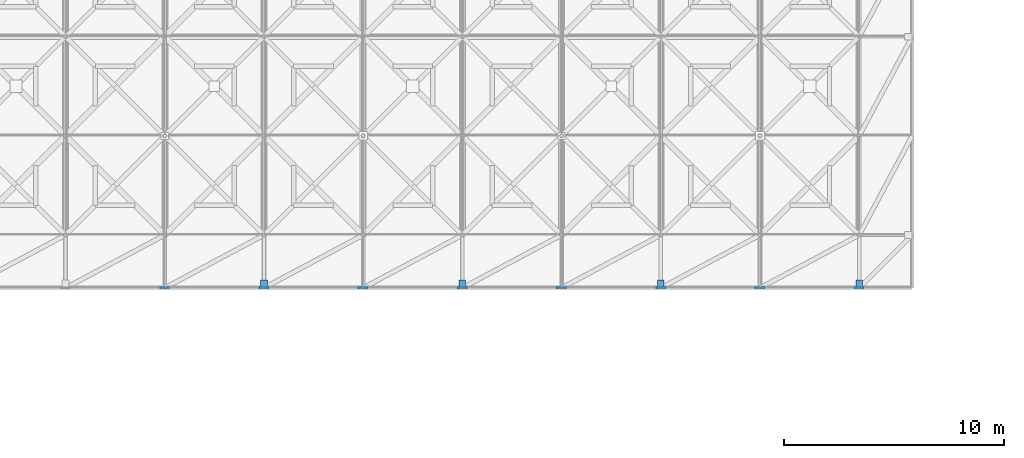
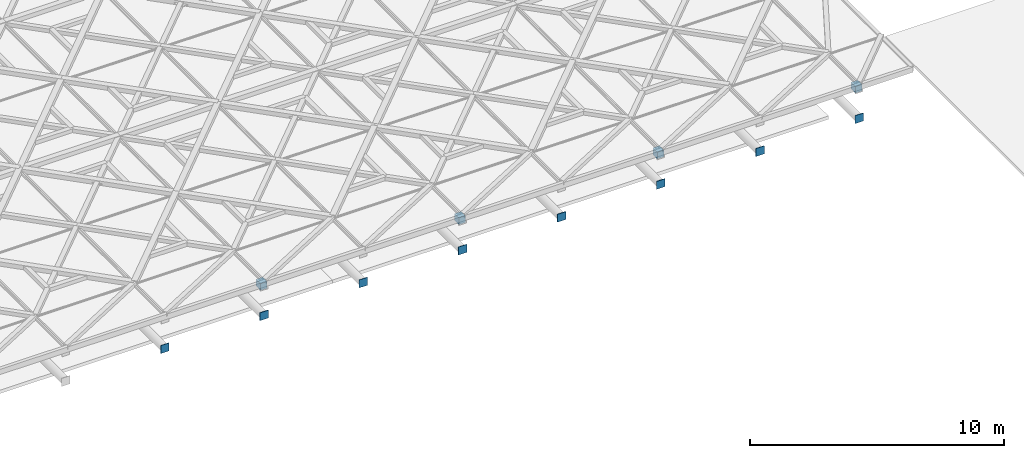
# One storey, part 75 of 80: 12 discrete accessories.
"""IFC4 building model written with IfcOpenShell, lengths in metres."""

from ifc_helpers import new_model, si_unit, direction, frame, origin, origin_2d, place, context, subcontext, project, spatial, rectangle, extrude, material, type_object, element, save


model = new_model("IFC4")

# Units and contexts
model_context = context("Model", 3, precision=1e-05, world=origin(), true_north=direction((0.0, 1.0)))
body_context = subcontext(model_context, "Body", "Model", "MODEL_VIEW")
ifc_project = project(units=[si_unit("LENGTHUNIT", "METRE"), si_unit("AREAUNIT", "SQUARE_METRE"), si_unit("VOLUMEUNIT", "CUBIC_METRE"), si_unit("PLANEANGLEUNIT", "RADIAN"), si_unit("MASSUNIT", "GRAM", prefix="KILO"), si_unit("THERMODYNAMICTEMPERATUREUNIT", "KELVIN"), si_unit("POWERUNIT", "WATT")], contexts=[model_context])

# Site, building, storey
site_placement = place(None, origin())
site = spatial("IfcSite", under=ifc_project, at=site_placement, CompositionType="ELEMENT")
building_placement = place(site_placement, origin())
building = spatial("IfcBuilding", under=site, at=building_placement, Name="Tallowbark Science Centre", CompositionType="ELEMENT")
storey_placement = place(building_placement, frame((0.0, 0.0, 25.949951171875)))
storey = spatial("IfcBuildingStorey", under=building, at=storey_placement, Name="ROOF", CompositionType="ELEMENT", Elevation=25.949951171875)

# Discrete accessories
ifc_material_1 = material(Name="White Architectural Painted Steel Grade C350L0 (350 MPa)", Category="steel")
discrete_accessory_type_1 = type_object("IfcDiscreteAccessoryType", Name="ACC-BRK-OUT", PredefinedType="BRACKET", material=ifc_material_1)
for number, where, z_axis, x_axis, name in (
    (1, (76.5, 2.280029296875, 0.0400390625), (0.0, 0.0, 1.0), (1.0, 0.0, 0.0), "Outrigger Gusset Bracket S-105"),
    (2, (85.5, 2.280029296875, 0.0400390625), (0.0, 0.0, 1.0), (1.0, 0.0, 0.0), "Outrigger Gusset Bracket S-107"),
    (3, (94.5, 2.280029296875, 0.0400390625), (0.0, 0.0, 1.0), (1.0, 0.0, 0.0), "Outrigger Gusset Bracket S-109"),
    (4, (103.5, 2.280029296875, 0.0400390625), (0.0, 0.0, 1.0), (1.0, 0.0, 0.0), "Outrigger Gusset Bracket S-111"),
):
    element("IfcDiscreteAccessory", number, at=place(storey_placement, frame(where, z_axis=z_axis, x_axis=x_axis)), inside=storey, type_object=discrete_accessory_type_1, Name=name, PredefinedType="BRACKET", context=body_context, shape_type="SweptSolid", body=[
        extrude(rectangle(XDim=0.300048828125, YDim=0.35009765625, at=origin_2d()), origin(), (0.0, 0.0, 1.0), 0.320068359375),
    ])
ifc_material_2 = material(Name="Structural Steel Grade C350L0 (350 MPa)", Category="steel")
discrete_accessory_type_2 = type_object("IfcDiscreteAccessoryType", Name="ACC-CAP-380", PredefinedType="BRACKET", material=ifc_material_2)
for number, where, z_axis, x_axis, name in (
    (5, (72.0, 2.090087890625, -1.389892578125), (0.0, 0.0, 1.0), (1.0, 0.0, 0.0), "Truss Bottom Chord End Cap S-4"),
    (6, (76.5, 2.090087890625, -1.389892578125), (0.0, 0.0, 1.0), (1.0, 0.0, 0.0), "Truss Bottom Chord End Cap S-5"),
    (7, (81.0, 2.090087890625, -1.389892578125), (0.0, 0.0, 1.0), (1.0, 0.0, 0.0), "Truss Bottom Chord End Cap S-6"),
    (8, (85.5, 2.090087890625, -1.389892578125), (0.0, 0.0, 1.0), (1.0, 0.0, 0.0), "Truss Bottom Chord End Cap S-7"),
    (9, (90.0, 2.090087890625, -1.389892578125), (0.0, 0.0, 1.0), (1.0, 0.0, 0.0), "Truss Bottom Chord End Cap S-8"),
    (10, (94.5, 2.090087890625, -1.389892578125), (0.0, 0.0, 1.0), (1.0, 0.0, 0.0), "Truss Bottom Chord End Cap S-9"),
    (11, (99.0, 2.090087890625, -1.389892578125), (0.0, 0.0, 1.0), (1.0, 0.0, 0.0), "Truss Bottom Chord End Cap S-10"),
    (12, (103.5, 2.090087890625, -1.389892578125), (0.0, 0.0, 1.0), (1.0, 0.0, 0.0), "Truss Bottom Chord End Cap S-11"),
):
    element("IfcDiscreteAccessory", number, at=place(storey_placement, frame(where, z_axis=z_axis, x_axis=x_axis)), inside=storey, type_object=discrete_accessory_type_2, Name=name, PredefinedType="BRACKET", context=body_context, shape_type="SweptSolid", body=[
        extrude(rectangle(XDim=0.3798828125, YDim=0.02392578125, at=origin_2d()), origin(), (0.0, 0.0, 1.0), 0.3798828125),
    ])

save(model, "model.ifc")
